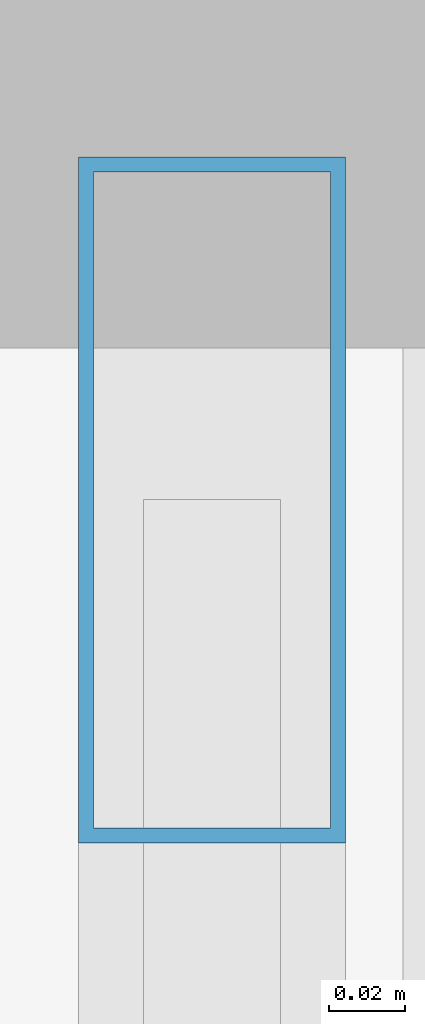
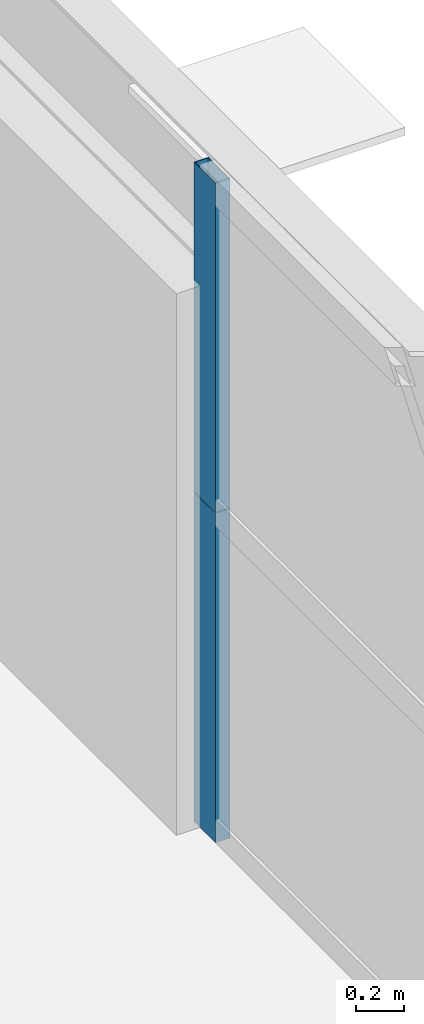
# One storey, part 33 of 43: 2 members, 1 element without a shape of its own.
"""IFC4 building model written with IfcOpenShell, lengths in metres."""

from ifc_helpers import new_model, si_unit, direction, frame, origin, origin_2d, place, context, subcontext, project, spatial, hollow_rectangle, extrude, source, transform, mapped, material, layer, layer_set, material_profile, profile_set, type_object, element, aggregate, save


model = new_model("IFC4")

# Units and contexts
model_context = context("Model", 3, precision=1e-05, world=origin(), true_north=direction((0.0, 1.0)))
body_context = subcontext(model_context, "Body", "Model", "MODEL_VIEW")
ifc_project = project(units=[si_unit("LENGTHUNIT", "METRE"), si_unit("AREAUNIT", "SQUARE_METRE"), si_unit("VOLUMEUNIT", "CUBIC_METRE"), si_unit("PLANEANGLEUNIT", "RADIAN"), si_unit("MASSUNIT", "GRAM", prefix="KILO"), si_unit("THERMODYNAMICTEMPERATUREUNIT", "KELVIN"), si_unit("POWERUNIT", "WATT")], contexts=[model_context])

# Site, building, storey
site_placement = place(None, origin())
site = spatial("IfcSite", under=ifc_project, at=site_placement, CompositionType="ELEMENT")
building_placement = place(site_placement, origin())
building = spatial("IfcBuilding", under=site, at=building_placement, Name="Yuzanri Waterfront Tower", CompositionType="ELEMENT")
storey_placement = place(building_placement, frame((0.0, 0.0, 71.199951171875)))
storey = spatial("IfcBuildingStorey", under=building, at=storey_placement, Name="L18", CompositionType="ELEMENT", Elevation=71.199951171875)

# Curtain wall, members
ifc_material_1 = material(Name="Anodized Architectural Bronze", Category="metal")
ifc_layer = layer(ifc_material_1, 0.159912109375)
ifc_layer_set = layer_set([ifc_layer], Name="Anodized Architectural Bronze")
curtain_wall_type = type_object("IfcCurtainWallType", Name="Anodized Bronze Hotel Lower-Tier Recessed Unitized Curtain Wall 8100", PredefinedType="NOTDEFINED", material=ifc_layer_set)
curtain_wall_placement = place(storey_placement, origin())
curtain_wall = element("IfcCurtainWall", 1, at=curtain_wall_placement, inside=storey, type_object=curtain_wall_type, Name="L18 Curtain Wall CW-L18-ER", PredefinedType="NOTDEFINED")
ifc_material_2 = material(Name="Anodized Architectural Bronze", Category="metal")
ifc_material_profile = material_profile(ifc_material_2, hollow_rectangle(XDim=0.070068359375, YDim=0.179931640625, WallThickness=0.00390625, at=origin_2d()), Name="CWM 70x180")
ifc_profile_set = profile_set([ifc_material_profile], Name="Anodized Architectural Bronze")
member_type = type_object("IfcMemberType", Name="Anodized Bronze Standard Curtain-Wall Mullion 70x180", PredefinedType="MULLION", material=ifc_profile_set)
shared_shape = source(origin(), body_context, "Body", "SweptSolid", [
    extrude(hollow_rectangle(XDim=0.070068359375, YDim=0.179931640625, WallThickness=0.00390625, at=origin_2d()), origin(), (0.0, 0.0, 1.0), 1.68798828125),
])
member_1_placement = place(storey_placement, frame((61.949951171875, 43.510009765625, 0.0), z_axis=(0.0, 0.0, 1.0), x_axis=(1.0, 0.0, 0.0)))
member_1 = element("IfcMember", 2, at=member_1_placement, type_object=member_type, Name="CW-L18-ER Lower Mullion 02", PredefinedType="MULLION", context=body_context, shape_type="MappedRepresentation", body=[
    mapped(shared_shape, transform((0.0, 0.0, 0.0), scale=1.0)),
])
member_2_placement = place(storey_placement, frame((61.949951171875, 43.510009765625, 1.692138671875), z_axis=(0.0, 0.0, 1.0), x_axis=(1.0, 0.0, 0.0)))
member_2 = element("IfcMember", 3, at=member_2_placement, type_object=member_type, Name="CW-L18-ER Upper Mullion 02", PredefinedType="MULLION", context=body_context, shape_type="MappedRepresentation", body=[
    mapped(shared_shape, transform((0.0, 0.0, 0.0), scale=1.0)),
])
aggregate(curtain_wall, [member_1, member_2])

save(model, "model.ifc")
